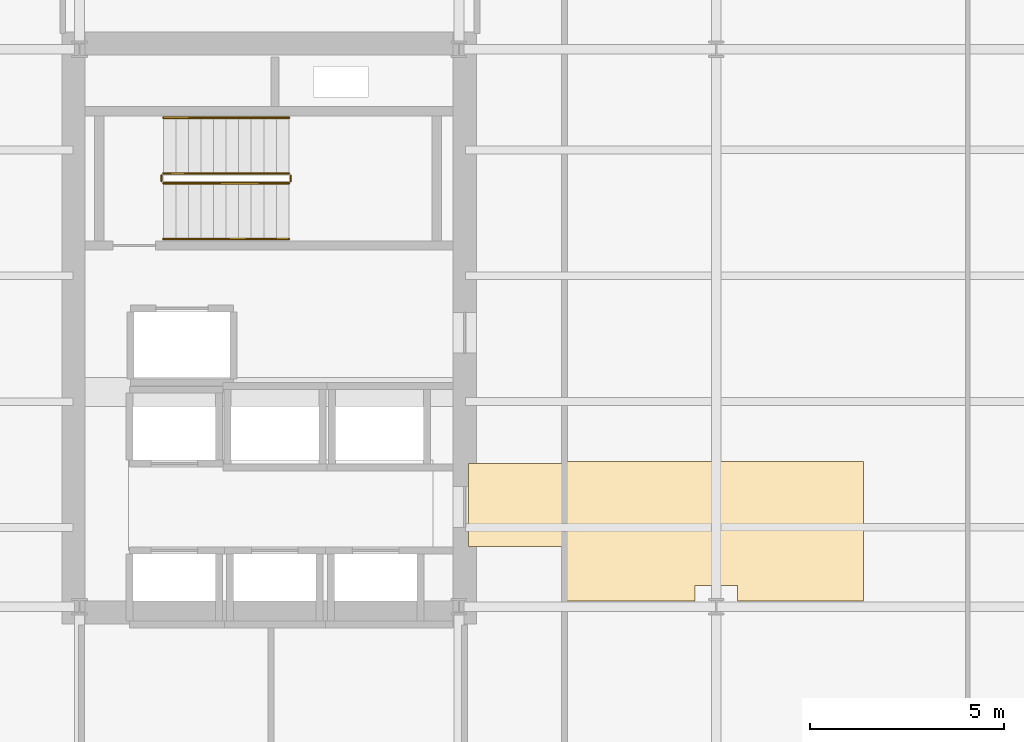
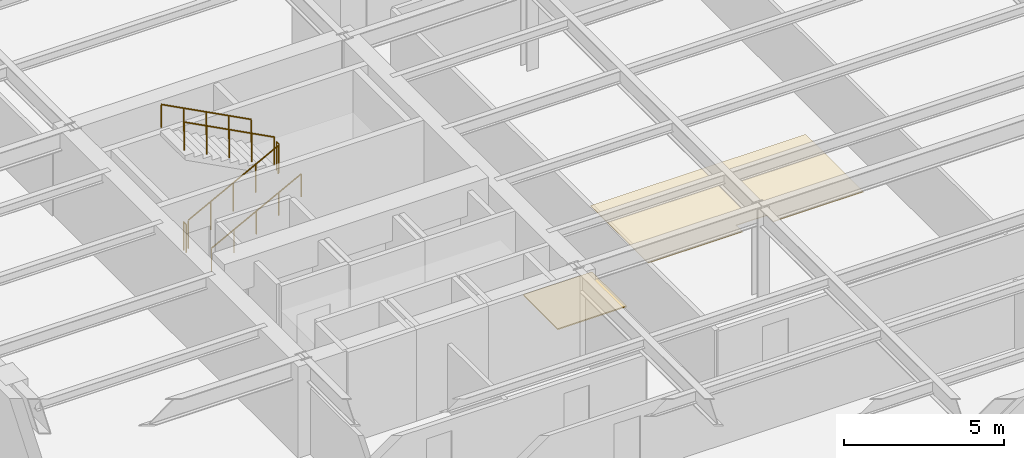
# One storey, part 8 of 10: 6 railings, 2 coverings.
"""IFC4 building model written with IfcOpenShell, lengths in metres."""

from ifc_helpers import new_model, si_unit, direction, frame, origin, origin_2d, place, context, subcontext, project, spatial, polyline, circle, outline, extrude, material, layer, layer_set, type_object, element, save


model = new_model("IFC4")

# Units and contexts
model_context = context("Model", 3, precision=1e-05, world=origin(), true_north=direction((0.0, 1.0)))
body_context = subcontext(model_context, "Body", "Model", "MODEL_VIEW")
ifc_project = project(units=[si_unit("LENGTHUNIT", "METRE"), si_unit("AREAUNIT", "SQUARE_METRE"), si_unit("VOLUMEUNIT", "CUBIC_METRE"), si_unit("PLANEANGLEUNIT", "RADIAN"), si_unit("MASSUNIT", "GRAM", prefix="KILO")], contexts=[model_context])

# Site, building, storey
site_placement = place(None, origin())
site = spatial("IfcSite", under=ifc_project, at=site_placement, CompositionType="ELEMENT")
building_placement = place(site_placement, origin())
building = spatial("IfcBuilding", under=site, at=building_placement, Name="Kolvaren Arena Tower", CompositionType="ELEMENT")
storey_placement = place(building_placement, frame((0.0, 0.0, 192.199951171875)))
storey = spatial("IfcBuildingStorey", under=building, at=storey_placement, Name="L46", CompositionType="ELEMENT", Elevation=192.199951171875)

# Coverings
ifc_material_1 = material(Name="Mineral fibre acoustic ceiling tile", Category="gypsum")
ifc_layer_1 = layer(ifc_material_1, 0.02490234375)
ifc_layer_set_1 = layer_set([ifc_layer_1], Name="Mineral fibre acoustic ceiling tile")
covering_type_1 = type_object("IfcCoveringType", Name="CEIL-ACT-1", PredefinedType="CEILING", material=ifc_layer_set_1)
covering_1_placement = place(storey_placement, frame((0.0, 0.0, 2.52001953125)))
element("IfcCovering", 1, at=covering_1_placement, inside=storey, type_object=covering_type_1, Name="Suspended Ceiling (L46)", PredefinedType="CEILING", context=body_context, shape_type="SweptSolid", body=[
    extrude(outline(polyline([(27.050048828125, 19.60009765625), (27.050048828125, 23.199951171875), (34.800048828125, 23.199951171875), (34.800048828125, 19.60009765625), (31.550048828125, 19.60009765625), (31.550048828125, 20.0), (30.449951171875, 20.0), (30.449951171875, 19.60009765625), (27.050048828125, 19.60009765625)])), origin(), (0.0, 0.0, 1.0), 0.025146484375),
])
ifc_material_2 = material(Name="Raised access office floor finish", Category="aluminium")
ifc_layer_2 = layer(ifc_material_2, 0.044921875)
ifc_layer_set_2 = layer_set([ifc_layer_2], Name="Raised access office floor finish")
covering_type_2 = type_object("IfcCoveringType", Name="FLOR-RAF-1", PredefinedType="FLOORING", material=ifc_layer_set_2)
covering_2_placement = place(storey_placement, origin())
element("IfcCovering", 2, at=covering_2_placement, inside=storey, type_object=covering_type_2, Name="Floor Finish (L46)", PredefinedType="FLOORING", context=body_context, shape_type="SweptSolid", body=[
    extrude(outline(polyline([(24.60009765625, 21.0), (24.60009765625, 23.14990234375), (27.080078125, 23.14990234375), (27.080078125, 21.0), (24.60009765625, 21.0)])), origin(), (0.0, 0.0, 1.0), 0.045166015625),
])

# Railings
ifc_material_3 = material(Name="Painted galvanized steel", Category="steel")
railing_type_1 = type_object("IfcRailingType", Name="GUARD-ST-110", PredefinedType="GUARDRAIL", material=ifc_material_3)
railing_1_placement = place(storey_placement, frame((16.719970703125, 30.389892578125, 0.17041015625)))
element("IfcRailing", 3, at=railing_1_placement, inside=storey, type_object=railing_type_1, Name="L46 ST-W1 stair guard 1", PredefinedType="GUARDRAIL", context=body_context, shape_type="SweptSolid", body=[
    extrude(circle(Radius=0.02392578125, at=origin_2d()), frame((0.0, 0.0, 1.076171875), z_axis=(0.884993431791, 0.0, 0.465603506952), x_axis=(0.0, 1.0, 0.0)), (0.0, 0.0, 1.0), 3.6611328125),
    extrude(circle(Radius=0.02099609375, at=origin_2d()), origin(), (0.0, 0.0, 1.0), 1.052001953125),
    extrude(circle(Radius=0.02099609375, at=origin_2d()), frame((0.81005859375, 0.0, 0.42626953125)), (0.0, 0.0, 1.0), 1.052001953125),
    extrude(circle(Radius=0.02099609375, at=origin_2d()), frame((1.6201171875, 0.0, 0.852294921875)), (0.0, 0.0, 1.0), 1.052001953125),
    extrude(circle(Radius=0.02099609375, at=origin_2d()), frame((2.429931640625, 0.0, 1.2783203125)), (0.0, 0.0, 1.0), 1.052001953125),
    extrude(circle(Radius=0.02099609375, at=origin_2d()), frame((3.239990234375, 0.0, 1.70458984375)), (0.0, 0.0, 1.0), 1.052001953125),
])
railing_2_placement = place(storey_placement, frame((20.010009765625, 30.43994140625, 1.875)))
element("IfcRailing", 4, at=railing_2_placement, inside=storey, type_object=railing_type_1, Name="L46 ST-W1 stair guard 2", PredefinedType="GUARDRAIL", context=body_context, shape_type="SweptSolid", body=[
    extrude(circle(Radius=0.02392578125, at=origin_2d()), frame((0.0, 0.0, 1.076171875), z_axis=(0.0, 1.0, 0.0), x_axis=(-1.0, 0.0, 0.0)), (0.0, 0.0, 1.0), 0.150146484375),
    extrude(circle(Radius=0.02099609375, at=origin_2d()), origin(), (0.0, 0.0, 1.0), 1.052001953125),
    extrude(circle(Radius=0.02099609375, at=origin_2d()), frame((0.0, 0.150146484375, 0.0)), (0.0, 0.0, 1.0), 1.052001953125),
])
railing_3_placement = place(storey_placement, frame((19.9599609375, 30.639892578125, 2.04541015625)))
element("IfcRailing", 5, at=railing_3_placement, inside=storey, type_object=railing_type_1, Name="L46 ST-W1 stair guard 3", PredefinedType="GUARDRAIL", context=body_context, shape_type="SweptSolid", body=[
    extrude(circle(Radius=0.02392578125, at=origin_2d()), frame((0.0, 0.0, 1.076171875), z_axis=(-0.884993431791, 0.0, 0.465603506952), x_axis=(0.0, -1.0, 0.0)), (0.0, 0.0, 1.0), 3.6611328125),
    extrude(circle(Radius=0.02099609375, at=origin_2d()), origin(), (0.0, 0.0, 1.0), 1.052001953125),
    extrude(circle(Radius=0.02099609375, at=origin_2d()), frame((-0.81005859375, 0.0, 0.42626953125)), (0.0, 0.0, 1.0), 1.052001953125),
    extrude(circle(Radius=0.02099609375, at=origin_2d()), frame((-1.6201171875, 0.0, 0.852294921875)), (0.0, 0.0, 1.0), 1.052001953125),
    extrude(circle(Radius=0.02099609375, at=origin_2d()), frame((-2.429931640625, 0.0, 1.2783203125)), (0.0, 0.0, 1.0), 1.052001953125),
    extrude(circle(Radius=0.02099609375, at=origin_2d()), frame((-3.239990234375, 0.0, 1.70458984375)), (0.0, 0.0, 1.0), 1.052001953125),
])
railing_4_placement = place(storey_placement, frame((16.669921875, 30.43994140625, 0.0)))
element("IfcRailing", 6, at=railing_4_placement, inside=storey, type_object=railing_type_1, Name="L46 ST-W1 stair guard 4", PredefinedType="GUARDRAIL", context=body_context, shape_type="SweptSolid", body=[
    extrude(circle(Radius=0.02392578125, at=origin_2d()), frame((0.0, 0.0, 1.076171875), z_axis=(0.0, 1.0, 0.0), x_axis=(-1.0, 0.0, 0.0)), (0.0, 0.0, 1.0), 0.150146484375),
    extrude(circle(Radius=0.02099609375, at=origin_2d()), origin(), (0.0, 0.0, 1.0), 1.052001953125),
    extrude(circle(Radius=0.02099609375, at=origin_2d()), frame((0.0, 0.150146484375, 0.0)), (0.0, 0.0, 1.0), 1.052001953125),
])
ifc_material_4 = material(Name="Brushed stainless steel handrail", Category="steel")
railing_type_2 = type_object("IfcRailingType", Name="HRAIL-900", PredefinedType="HANDRAIL", material=ifc_material_4)
railing_5_placement = place(storey_placement, frame((16.719970703125, 28.949951171875, 0.17041015625)))
element("IfcRailing", 7, at=railing_5_placement, inside=storey, type_object=railing_type_2, Name="L46 ST-W1 stair handrail 1", PredefinedType="HANDRAIL", context=body_context, shape_type="SweptSolid", body=[
    extrude(circle(Radius=0.02392578125, at=origin_2d()), frame((0.0, 0.0, 0.8759765625), z_axis=(0.884993431791, 0.0, 0.465603506952), x_axis=(0.0, 1.0, 0.0)), (0.0, 0.0, 1.0), 3.6611328125),
    extrude(circle(Radius=0.02099609375, at=origin_2d()), origin(), (0.0, 0.0, 1.0), 0.851806640625),
    extrude(circle(Radius=0.02099609375, at=origin_2d()), frame((0.81005859375, 0.0, 0.42626953125)), (0.0, 0.0, 1.0), 0.851806640625),
    extrude(circle(Radius=0.02099609375, at=origin_2d()), frame((1.6201171875, 0.0, 0.852294921875)), (0.0, 0.0, 1.0), 0.851806640625),
    extrude(circle(Radius=0.02099609375, at=origin_2d()), frame((2.429931640625, 0.0, 1.2783203125)), (0.0, 0.0, 1.0), 0.851806640625),
    extrude(circle(Radius=0.02099609375, at=origin_2d()), frame((3.239990234375, 0.0, 1.70458984375)), (0.0, 0.0, 1.0), 0.851806640625),
])
railing_6_placement = place(storey_placement, frame((19.9599609375, 32.080078125, 2.04541015625)))
element("IfcRailing", 8, at=railing_6_placement, inside=storey, type_object=railing_type_2, Name="L46 ST-W1 stair handrail 2", PredefinedType="HANDRAIL", context=body_context, shape_type="SweptSolid", body=[
    extrude(circle(Radius=0.02392578125, at=origin_2d()), frame((0.0, 0.0, 0.8759765625), z_axis=(-0.884993431791, 0.0, 0.465603506952), x_axis=(0.0, -1.0, 0.0)), (0.0, 0.0, 1.0), 3.6611328125),
    extrude(circle(Radius=0.02099609375, at=origin_2d()), origin(), (0.0, 0.0, 1.0), 0.851806640625),
    extrude(circle(Radius=0.02099609375, at=origin_2d()), frame((-0.81005859375, 0.0, 0.42626953125)), (0.0, 0.0, 1.0), 0.851806640625),
    extrude(circle(Radius=0.02099609375, at=origin_2d()), frame((-1.6201171875, 0.0, 0.852294921875)), (0.0, 0.0, 1.0), 0.851806640625),
    extrude(circle(Radius=0.02099609375, at=origin_2d()), frame((-2.429931640625, 0.0, 1.2783203125)), (0.0, 0.0, 1.0), 0.851806640625),
    extrude(circle(Radius=0.02099609375, at=origin_2d()), frame((-3.239990234375, 0.0, 1.70458984375)), (0.0, 0.0, 1.0), 0.851806640625),
])

save(model, "model.ifc")
